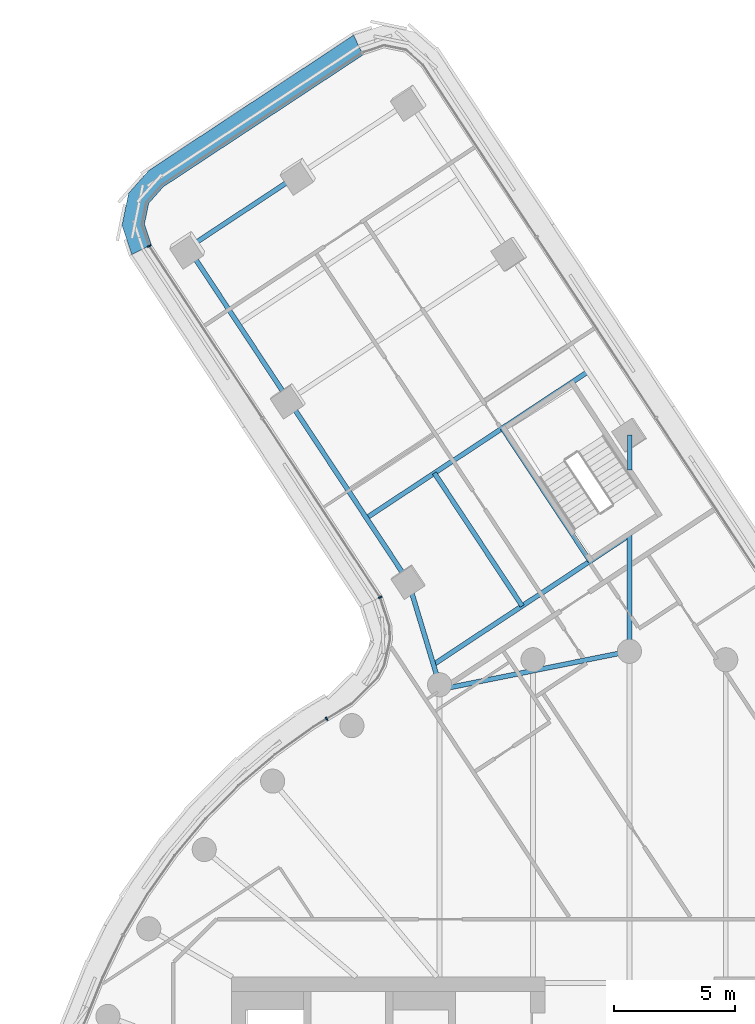
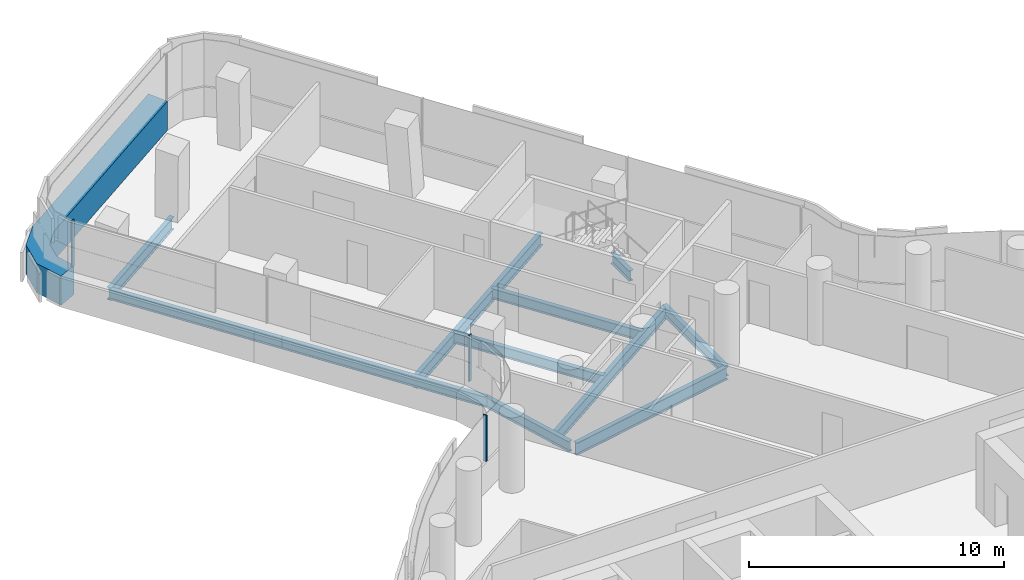
# One storey, part 15 of 35: 11 beams, 4 members, 3 elements without a shape of their own.
"""IFC4 building model written with IfcOpenShell, lengths in metres."""

from ifc_helpers import new_model, si_unit, direction, frame, origin, origin_2d, place, context, subcontext, project, spatial, polyline, rectangle, i_section, outline, extrude, material, layer, layer_set, material_profile, profile_set, type_object, element, aggregate, save


model = new_model("IFC4")

# Units and contexts
model_context = context("Model", 3, precision=1e-05, world=origin(), true_north=direction((0.0, 1.0)))
body_context = subcontext(model_context, "Body", "Model", "MODEL_VIEW")
ifc_project = project(units=[si_unit("LENGTHUNIT", "METRE"), si_unit("AREAUNIT", "SQUARE_METRE"), si_unit("VOLUMEUNIT", "CUBIC_METRE"), si_unit("PLANEANGLEUNIT", "RADIAN"), si_unit("MASSUNIT", "GRAM", prefix="KILO")], contexts=[model_context])

# Site, building, storey
site_placement = place(None, origin())
site = spatial("IfcSite", under=ifc_project, at=site_placement, CompositionType="ELEMENT")
building_placement = place(site_placement, origin())
building = spatial("IfcBuilding", under=site, at=building_placement, Name="Tamarind Cross Interchange Tower", CompositionType="ELEMENT")
storey_placement = place(building_placement, frame((0.0, 0.0, 155.5)))
storey = spatial("IfcBuildingStorey", under=building, at=storey_placement, Name="L38", CompositionType="ELEMENT", Elevation=155.5)

# Beams
ifc_material_1 = material(Name="Steel Q355B", Category="steel")
ifc_material_profile_1 = material_profile(ifc_material_1, i_section(OverallWidth=0.198974609375, OverallDepth=0.49609375, WebThickness=0.009033203125, FlangeThickness=0.013916015625, FilletRadius=0.012939453125, at=origin_2d()), Name="HN 496x199x9x14")
ifc_profile_set_1 = profile_set([ifc_material_profile_1], Name="Steel Q355B")
beam_type_1 = type_object("IfcBeamType", Name="Composite beam HN 496x199x9x14 Q355B", PredefinedType="BEAM", material=ifc_profile_set_1)
beam_1_placement = place(storey_placement, frame((-18.291015625, 39.721923828125, -0.387939453125), z_axis=(0.55098692943, -0.834513872621, 0.0), x_axis=(0.834513872621, 0.55098692943, 0.0)))
element("IfcBeam", 1, at=beam_1_placement, inside=storey, type_object=beam_type_1, Name="Beam N-edgeep2", PredefinedType="BEAM", context=body_context, shape_type="SweptSolid", body=[
    extrude(i_section(OverallWidth=0.198974609375, OverallDepth=0.49609375, WebThickness=0.009033203125, FlangeThickness=0.013916015625, FilletRadius=0.012939453125, at=origin_2d()), origin(), (0.0, 0.0, 1.0), 7.567138671875),
])
beam_2_placement = place(storey_placement, frame((-14.12158203125, 33.406982421875, -0.387939453125), z_axis=(0.550969936859, -0.8345250917, 0.0), x_axis=(0.8345250917, 0.550969936859, 0.0)))
element("IfcBeam", 2, at=beam_2_placement, inside=storey, type_object=beam_type_1, Name="Beam N-edgeep3", PredefinedType="BEAM", context=body_context, shape_type="SweptSolid", body=[
    extrude(i_section(OverallWidth=0.198974609375, OverallDepth=0.49609375, WebThickness=0.009033203125, FlangeThickness=0.013916015625, FilletRadius=0.012939453125, at=origin_2d()), origin(), (0.0, 0.0, 1.0), 9.0),
])
beam_3_placement = place(storey_placement, frame((0.016845703125, 31.956787109375, -0.387939453125), z_axis=(-0.001854971513, -0.999998279539, 0.0), x_axis=(0.999998279539, -0.001854971513, 0.0)))
element("IfcBeam", 3, at=beam_3_placement, inside=storey, type_object=beam_type_1, Name="Beam N-linkemt0", PredefinedType="BEAM", context=body_context, shape_type="SweptSolid", body=[
    extrude(i_section(OverallWidth=0.198974609375, OverallDepth=0.49609375, WebThickness=0.009033203125, FlangeThickness=0.013916015625, FilletRadius=0.012939453125, at=origin_2d()), origin(), (0.0, 0.0, 1.0), 1.44775390625),
])
beam_4_placement = place(storey_placement, frame((0.00927734375, 27.877685546875, -0.387939453125), z_axis=(-0.001901993657, -0.999998191208, 0.0), x_axis=(0.999998191208, -0.001901993657, 0.0)))
element("IfcBeam", 4, at=beam_4_placement, inside=storey, type_object=beam_type_1, Name="Beam N-linkemt1", PredefinedType="BEAM", context=body_context, shape_type="SweptSolid", body=[
    extrude(i_section(OverallWidth=0.198974609375, OverallDepth=0.49609375, WebThickness=0.009033203125, FlangeThickness=0.013916015625, FilletRadius=0.012939453125, at=origin_2d()), origin(), (0.0, 0.0, 1.0), 4.877685546875),
])
beam_5_placement = place(storey_placement, frame((-9.162841796875, 25.896240234375, -0.387939453125), z_axis=(0.28968940684, -0.957120706894, 0.0), x_axis=(0.957120706894, 0.28968940684, 0.0)))
element("IfcBeam", 5, at=beam_5_placement, inside=storey, type_object=beam_type_1, Name="Beam N-linkep", PredefinedType="BEAM", context=body_context, shape_type="SweptSolid", body=[
    extrude(i_section(OverallWidth=0.198974609375, OverallDepth=0.49609375, WebThickness=0.009033203125, FlangeThickness=0.013916015625, FilletRadius=0.012939453125, at=origin_2d()), origin(), (0.0, 0.0, 1.0), 4.47509765625),
])
for number, where, z_axis, x_axis, name in (
    (6, (-1.629150390625, 26.736083984375, -0.387939453125), (-0.550938572023, 0.834545798538, 0.0), (-0.834545798538, -0.550938572023, 0.0), "Beam N-tr1"),
    (7, (-4.445556640625, 24.876708984375, -0.387939453125), (-0.55098134218, 0.83451756157, 0.0), (-0.83451756157, -0.55098134218, 0.0), "Beam N-stripp"),
):
    element("IfcBeam", number, at=place(storey_placement, frame(where, z_axis=z_axis, x_axis=x_axis)), inside=storey, type_object=beam_type_1, Name=name, PredefinedType="BEAM", context=body_context, shape_type="SweptSolid", body=[
        extrude(i_section(OverallWidth=0.198974609375, OverallDepth=0.49609375, WebThickness=0.009033203125, FlangeThickness=0.013916015625, FilletRadius=0.012939453125, at=origin_2d()), origin(), (0.0, 0.0, 1.0), 6.60009765625),
    ])
ifc_material_profile_2 = material_profile(ifc_material_1, i_section(OverallWidth=0.199951171875, OverallDepth=0.60009765625, WebThickness=0.010986328125, FlangeThickness=0.01708984375, FilletRadius=0.012939453125, at=origin_2d()), Name="HN 600x200x11x17")
ifc_profile_set_2 = profile_set([ifc_material_profile_2], Name="Steel Q355B")
beam_type_2 = type_object("IfcBeamType", Name="Composite beam HN 600x200x11x17 Q355B", PredefinedType="BEAM", material=ifc_profile_set_2)
beam_6_placement = place(storey_placement, frame((-13.701171875, 42.75244140625, -0.43994140625), z_axis=(-0.834507356387, -0.550996798662, 0.0), x_axis=(0.550996798662, -0.834507356387, 0.0)))
element("IfcBeam", 8, at=beam_6_placement, inside=storey, type_object=beam_type_2, Name="Beam N-tip1", PredefinedType="BEAM", context=body_context, shape_type="SweptSolid", body=[
    extrude(i_section(OverallWidth=0.199951171875, OverallDepth=0.60009765625, WebThickness=0.010986328125, FlangeThickness=0.01708984375, FilletRadius=0.012939453125, at=origin_2d()), origin(), (0.0, 0.0, 1.0), 5.5),
])
beam_7_placement = place(storey_placement, frame((0.009033203125, 27.817626953125, -0.43994140625), z_axis=(-0.834528970601, -0.550964061649, 0.0), x_axis=(0.550964061649, -0.834528970601, 0.0)))
element("IfcBeam", 9, at=beam_7_placement, inside=storey, type_object=beam_type_2, Name="Beam N-x268", PredefinedType="BEAM", context=body_context, shape_type="SweptSolid", body=[
    extrude(i_section(OverallWidth=0.199951171875, OverallDepth=0.60009765625, WebThickness=0.010986328125, FlangeThickness=0.01708984375, FilletRadius=0.012939453125, at=origin_2d()), origin(), (0.0, 0.0, 1.0), 9.740966796875),
])
beam_8_placement = place(storey_placement, frame((-1.71875, 34.585693359375, -0.43994140625), z_axis=(-0.83451756157, -0.55098134218, 0.0), x_axis=(0.55098134218, -0.83451756157, 0.0)))
element("IfcBeam", 10, at=beam_8_placement, inside=storey, type_object=beam_type_2, Name="Beam N-x334", PredefinedType="BEAM", context=body_context, shape_type="SweptSolid", body=[
    extrude(i_section(OverallWidth=0.199951171875, OverallDepth=0.60009765625, WebThickness=0.010986328125, FlangeThickness=0.01708984375, FilletRadius=0.012939453125, at=origin_2d()), origin(), (0.0, 0.0, 1.0), 11.0),
])
beam_9_placement = place(storey_placement, frame((0.0, 23.0, -0.43994140625), z_axis=(-0.980257489552, -0.197725198639, 0.0), x_axis=(0.197725198639, -0.980257489552, 0.0)))
element("IfcBeam", 11, at=beam_9_placement, inside=storey, type_object=beam_type_2, Name="Beam N-x258", PredefinedType="BEAM", context=body_context, shape_type="SweptSolid", body=[
    extrude(i_section(OverallWidth=0.199951171875, OverallDepth=0.60009765625, WebThickness=0.010986328125, FlangeThickness=0.01708984375, FilletRadius=0.012939453125, at=origin_2d()), origin(), (0.0, 0.0, 1.0), 7.906005859375),
])

# Curtain wall, member
ifc_material_2 = material(Name="Aluminium 6063-T6", Category="aluminium")
ifc_layer = layer(ifc_material_2, 0.159912109375)
ifc_layer_set = layer_set([ifc_layer], Name="Aluminium 6063-T6")
curtain_wall_type = type_object("IfcCurtainWallType", Name="Office curtain wall, 9.0 m bays", PredefinedType="NOTDEFINED", material=ifc_layer_set)
curtain_wall_1_placement = place(storey_placement, origin())
curtain_wall_1 = element("IfcCurtainWall", 12, at=curtain_wall_1_placement, inside=storey, type_object=curtain_wall_type, Name="CWS-L38-00", PredefinedType="NOTDEFINED")
ifc_material_3 = material(Name="Aluminium and insulated spandrel panel", Category="aluminium")
member_type_1 = type_object("IfcMemberType", Name="Floor-edge blade transom", PredefinedType="USERDEFINED", material=ifc_material_3)
member_1_placement = place(storey_placement, origin())
member_1 = element("IfcMember", 13, at=member_1_placement, type_object=member_type_1, Name="CWT-L38-00", ObjectType="TRANSOM", PredefinedType="USERDEFINED", context=body_context, shape_type="SweptSolid", body=[
    extrude(outline(polyline([(-11.033935546875, 47.715576171875), (-19.313232421875, 42.24951171875), (-19.920654296875, 41.564697265625), (-20.095947265625, 40.707763671875), (-19.806396484375, 39.839111328125), (-20.623046875, 39.443115234375), (-21.026123046875, 40.652099609375), (-20.75390625, 41.9814453125), (-19.907958984375, 42.935302734375), (-11.430908203125, 48.531982421875), (-11.033935546875, 47.715576171875)])), origin(), (0.0, 0.0, 1.0), 1.39990234375),
])
aggregate(curtain_wall_1, [member_1])

curtain_wall_2_placement = place(storey_placement, origin())
curtain_wall_2 = element("IfcCurtainWall", 14, at=curtain_wall_2_placement, inside=storey, type_object=curtain_wall_type, Name="CWS-L38-01", PredefinedType="NOTDEFINED")
ifc_material_profile_3 = material_profile(ifc_material_2, rectangle(XDim=0.06005859375, YDim=0.159912109375, at=origin_2d()), Name="Mullion CW1")
ifc_profile_set_3 = profile_set([ifc_material_profile_3], Name="Aluminium 6063-T6")
member_type_2 = type_object("IfcMemberType", Name="Mullion CW1", PredefinedType="MULLION", material=ifc_profile_set_3)
member_2_placement = place(storey_placement, frame((-19.897216796875, 39.795166015625, 1.39990234375), z_axis=(0.0, 0.0, 1.0), x_axis=(0.43640154795, -0.89975201525, 0.0)))
member_2 = element("IfcMember", 15, at=member_2_placement, type_object=member_type_2, Name="CWM-L38-01-00", PredefinedType="MULLION", context=body_context, shape_type="SweptSolid", body=[
    extrude(rectangle(XDim=0.06005859375, YDim=0.159912109375, at=origin_2d()), origin(), (0.0, 0.0, 1.0), 2.210205078125),
])
aggregate(curtain_wall_2, [member_2])

# Curtain wall, members
curtain_wall_3_placement = place(storey_placement, origin())
curtain_wall_3 = element("IfcCurtainWall", 16, at=curtain_wall_3_placement, inside=storey, type_object=curtain_wall_type, Name="CWS-L38-02", PredefinedType="NOTDEFINED")
member_3_placement = place(storey_placement, frame((-10.329345703125, 25.238037109375, 1.39990234375), z_axis=(0.0, 0.0, 1.0), x_axis=(0.432938129817, -0.901423638336, 0.0)))
member_3 = element("IfcMember", 17, at=member_3_placement, type_object=member_type_2, Name="CWM-L38-02-00", PredefinedType="MULLION", context=body_context, shape_type="SweptSolid", body=[
    extrude(rectangle(XDim=0.06005859375, YDim=0.159912109375, at=origin_2d()), origin(), (0.0, 0.0, 1.0), 2.210205078125),
])
member_4_placement = place(storey_placement, frame((-12.546142578125, 20.19873046875, 1.39990234375), z_axis=(0.0, 0.0, 1.0), x_axis=(-0.856667033085, -0.5158697456, 0.0)))
member_4 = element("IfcMember", 18, at=member_4_placement, type_object=member_type_2, Name="CWM-L38-02-01", PredefinedType="MULLION", context=body_context, shape_type="SweptSolid", body=[
    extrude(rectangle(XDim=0.06005859375, YDim=0.159912109375, at=origin_2d()), origin(), (0.0, 0.0, 1.0), 2.210205078125),
])
aggregate(curtain_wall_3, [member_3, member_4])

save(model, "model.ifc")
